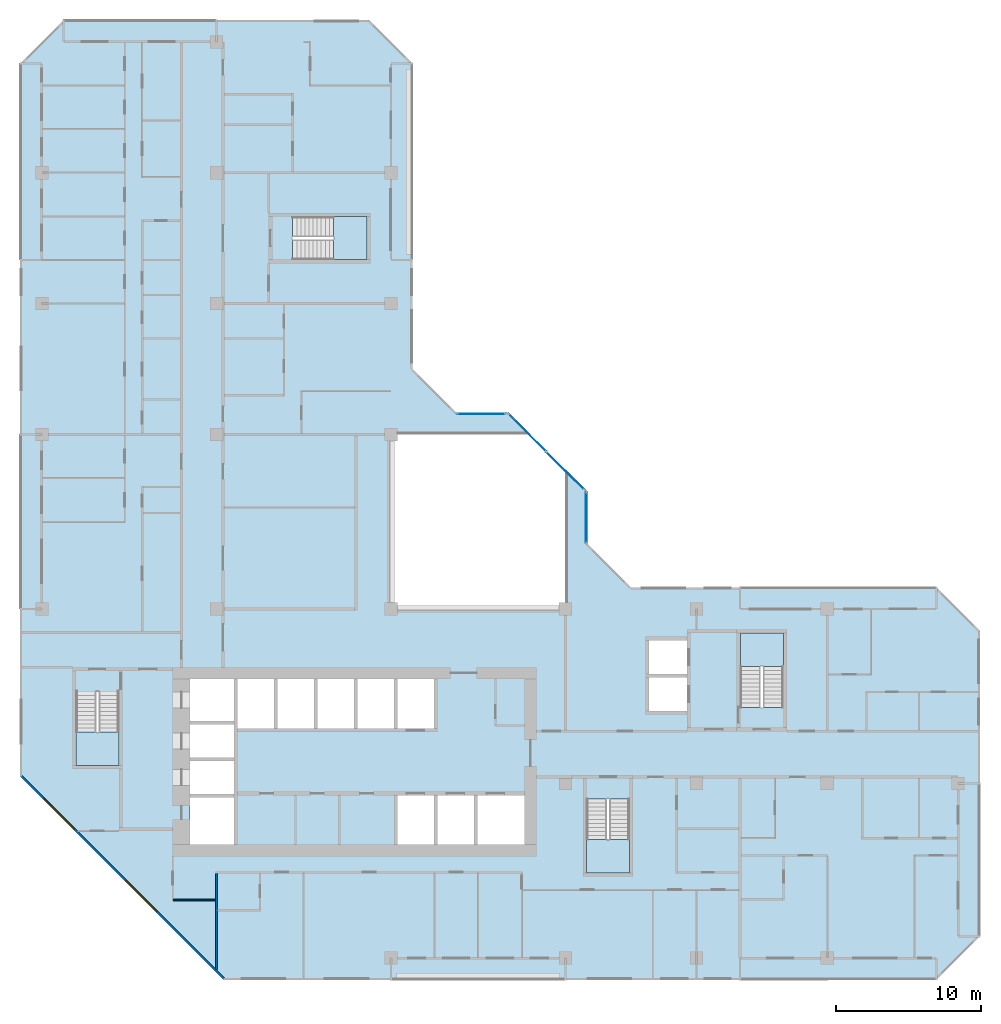
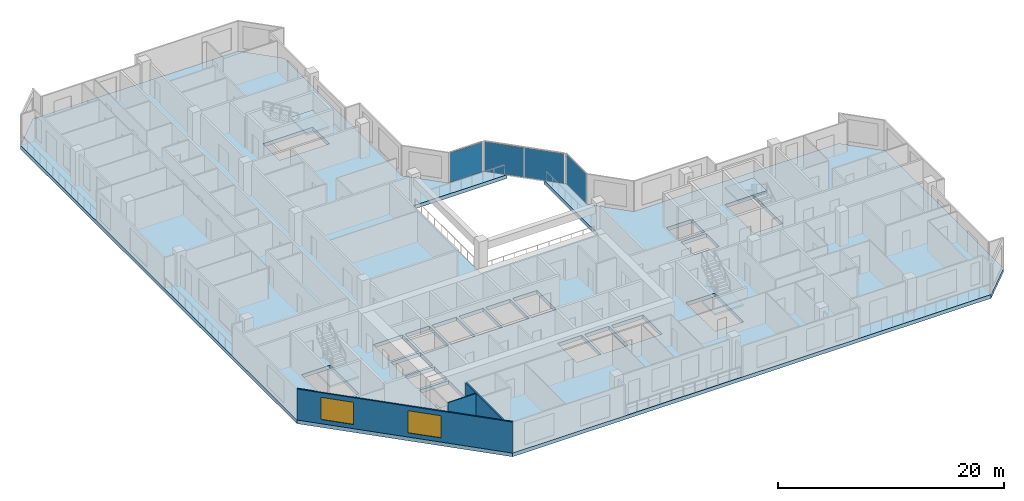
# One storey, part 3 of 15: 5 slabs, 4 plates, 3 walls, 2 windows, 2 openings, 7 elements without a shape of their own.
"""IFC4 building model written with IfcOpenShell, lengths in metres."""

from ifc_helpers import new_model, si_unit, direction, frame, frame_2d, origin, origin_2d, place, context, subcontext, project, spatial, polyline, rectangle, outline, extrude, material, layer, layer_set, type_object, element, fill, aggregate, save


model = new_model("IFC4")

# Units and contexts
model_context = context("Model", 3, precision=1e-05, world=origin(), true_north=direction((0.0, 1.0)))
body_context = subcontext(model_context, "Body", "Model", "MODEL_VIEW")
ifc_project = project(units=[si_unit("LENGTHUNIT", "METRE"), si_unit("AREAUNIT", "SQUARE_METRE"), si_unit("VOLUMEUNIT", "CUBIC_METRE"), si_unit("PLANEANGLEUNIT", "RADIAN"), si_unit("MASSUNIT", "GRAM", prefix="KILO")], contexts=[model_context])

# Site, building, storey
site_placement = place(None, origin())
site = spatial("IfcSite", under=ifc_project, at=site_placement, CompositionType="ELEMENT")
building_placement = place(site_placement, origin())
building = spatial("IfcBuilding", under=site, at=building_placement, Name="Chenar Terraces", CompositionType="ELEMENT")
storey_placement = place(building_placement, frame((0.0, 0.0, 191.14990234375)))
storey = spatial("IfcBuildingStorey", under=building, at=storey_placement, Name="L44", CompositionType="ELEMENT", Elevation=191.14990234375)

# Curtain wall, plate
ifc_material_1 = material(Name="Aluminium framed glazing", Category="aluminium")
ifc_layer_1 = layer(ifc_material_1, 0.14990234375)
ifc_layer_set_1 = layer_set([ifc_layer_1], Name="Aluminium framed glazing")
curtain_wall_type = type_object("IfcCurtainWallType", Name="Atrium mid-zone curtain wall", PredefinedType="NOTDEFINED", material=ifc_layer_set_1)
placement_1 = place(storey_placement, origin())
curtain_wall_1 = element("IfcCurtainWall", 1, at=placement_1, inside=storey, type_object=curtain_wall_type, Name="Atrium mid-zone curtain wall", PredefinedType="NOTDEFINED")
ifc_material_2 = material(Name="Low emissivity laminated glass, solar control coating", Category="glass")
ifc_layer_2 = layer(ifc_material_2, 0.031982421875)
ifc_layer_set_2 = layer_set([ifc_layer_2], Name="Low emissivity laminated glass, solar control coating")
plate_type = type_object("IfcPlateType", Name="Atrium mid-zone glazing panel 32", PredefinedType="CURTAIN_PANEL", material=ifc_layer_set_2)
plate_1_placement = place(storey_placement, frame((37.425048828125, 30.300048828125, 0.070068359375), z_axis=(0.0, 0.0, 1.0), x_axis=(0.0, 1.0, 0.0)))
plate_1 = element("IfcPlate", 2, at=plate_1_placement, type_object=plate_type, Name="CW7-1 panel 1.1", PredefinedType="CURTAIN_PANEL", context=body_context, shape_type="SweptSolid", body=[
    extrude(rectangle(XDim=3.4599609375, YDim=0.031982421875, at=origin_2d()), origin(), (0.0, 0.0, 1.0), 3.2099609375),
])
aggregate(curtain_wall_1, [plate_1])

# Curtain wall, plates
curtain_wall_2 = element("IfcCurtainWall", 3, at=placement_1, inside=storey, type_object=curtain_wall_type, Name="Atrium mid-zone curtain wall", PredefinedType="NOTDEFINED")
plate_2_placement = place(storey_placement, frame((35.978515625, 33.515380859375, 0.070068359375), z_axis=(0.0, 0.0, 1.0), x_axis=(-0.707106781187, 0.707106781187, 0.0)))
plate_2 = element("IfcPlate", 4, at=plate_2_placement, type_object=plate_type, Name="CW7-2 panel 1.1", PredefinedType="CURTAIN_PANEL", context=body_context, shape_type="SweptSolid", body=[
    extrude(rectangle(XDim=3.61328125, YDim=0.031982421875, at=origin_2d()), origin(), (0.0, 0.0, 1.0), 3.2099609375),
])
plate_3_placement = place(storey_placement, frame((33.3740234375, 36.119873046875, 0.070068359375), z_axis=(0.0, 0.0, 1.0), x_axis=(-0.707106781187, 0.707106781187, 0.0)))
plate_3 = element("IfcPlate", 5, at=plate_3_placement, type_object=plate_type, Name="CW7-2 panel 2.1", PredefinedType="CURTAIN_PANEL", context=body_context, shape_type="SweptSolid", body=[
    extrude(rectangle(XDim=3.61328125, YDim=0.031982421875, at=origin_2d()), origin(), (0.0, 0.0, 1.0), 3.2099609375),
])
aggregate(curtain_wall_2, [plate_2, plate_3])

# Curtain wall, plate
curtain_wall_3 = element("IfcCurtainWall", 6, at=placement_1, inside=storey, type_object=curtain_wall_type, Name="Atrium mid-zone curtain wall", PredefinedType="NOTDEFINED")
plate_4_placement = place(storey_placement, frame((30.199951171875, 37.425048828125, 0.070068359375), z_axis=(0.0, 0.0, 1.0), x_axis=(-1.0, 0.0, 0.0)))
plate_4 = element("IfcPlate", 7, at=plate_4_placement, type_object=plate_type, Name="CW7-3 panel 1.1", PredefinedType="CURTAIN_PANEL", context=body_context, shape_type="SweptSolid", body=[
    extrude(rectangle(XDim=3.260009765625, YDim=0.031982421875, at=origin_2d()), origin(), (0.0, 0.0, 1.0), 3.2099609375),
])
aggregate(curtain_wall_3, [plate_4])

# Stair, slab
ifc_material_3 = material(Name="Reinforced concrete C40/50", Category="concrete")
stair_type = type_object("IfcStairType", Name="Core stair 1400 half-turn", PredefinedType="HALF_TURN_STAIR", material=ifc_material_3)
stair_1 = element("IfcStair", 8, at=placement_1, inside=storey, type_object=stair_type, Name="L44 Stair 1", PredefinedType="HALF_TURN_STAIR")
ifc_material_4 = material(Name="Reinforced concrete C40/50", Category="concrete")
ifc_layer_3 = layer(ifc_material_4, 0.199951171875)
ifc_layer_set_3 = layer_set([ifc_layer_3], Name="Reinforced concrete C40/50")
slab_type_1 = type_object("IfcSlabType", Name="Core stair landing 200", PredefinedType="LANDING", material=ifc_layer_set_3)
placement_2 = place(storey_placement, frame((0.0, 0.0, 1.675048828125)))
slab_1 = element("IfcSlab", 9, at=placement_2, type_object=slab_type_1, Name="ST1 landing 1", PredefinedType="LANDING", context=body_context, shape_type="SweptSolid", body=[
    extrude(outline(polyline([(2.35009765625, 15.550048828125), (2.35009765625, 13.25), (5.300048828125, 13.25), (5.300048828125, 15.550048828125), (2.35009765625, 15.550048828125)])), origin(), (0.0, 0.0, 1.0), 0.199951171875),
])
aggregate(stair_1, [slab_1])

stair_2 = element("IfcStair", 10, at=placement_1, inside=storey, type_object=stair_type, Name="L44 Stair 2", PredefinedType="HALF_TURN_STAIR")
slab_2 = element("IfcSlab", 11, at=placement_2, type_object=slab_type_1, Name="ST2 landing 1", PredefinedType="LANDING", context=body_context, shape_type="SweptSolid", body=[
    extrude(outline(polyline([(37.449951171875, 8.14990234375), (37.449951171875, 5.85009765625), (40.39990234375, 5.85009765625), (40.39990234375, 8.14990234375), (37.449951171875, 8.14990234375)])), origin(), (0.0, 0.0, 1.0), 0.199951171875),
])
aggregate(stair_2, [slab_2])

stair_3 = element("IfcStair", 12, at=placement_1, inside=storey, type_object=stair_type, Name="L44 Stair 3", PredefinedType="HALF_TURN_STAIR")
slab_3 = element("IfcSlab", 13, at=placement_2, type_object=slab_type_1, Name="ST3 landing 1", PredefinedType="LANDING", context=body_context, shape_type="SweptSolid", body=[
    extrude(outline(polyline([(50.97509765625, 20.050048828125), (50.97509765625, 22.35009765625), (48.02490234375, 22.35009765625), (48.02490234375, 20.050048828125), (50.97509765625, 20.050048828125)])), origin(), (0.0, 0.0, 1.0), 0.199951171875),
])
aggregate(stair_3, [slab_3])

stair_4 = element("IfcStair", 14, at=placement_1, inside=storey, type_object=stair_type, Name="L44 Stair 4", PredefinedType="HALF_TURN_STAIR")
slab_4 = element("IfcSlab", 15, at=placement_2, type_object=slab_type_1, Name="ST4 landing 1", PredefinedType="LANDING", context=body_context, shape_type="SweptSolid", body=[
    extrude(outline(polyline([(20.050048828125, 48.02490234375), (22.35009765625, 48.02490234375), (22.35009765625, 50.97509765625), (20.050048828125, 50.97509765625), (20.050048828125, 48.02490234375)])), origin(), (0.0, 0.0, 1.0), 0.199951171875),
])
aggregate(stair_4, [slab_4])

# Slab
ifc_material_5 = material(Name="Concrete C40/50", Category="concrete")
ifc_layer_4 = layer(ifc_material_5, 0.39990234375)
ifc_layer_set_4 = layer_set([ifc_layer_4], Name="Concrete C40/50")
slab_type_2 = type_object("IfcSlabType", Name="Floor slab 400 Concrete C40/50", PredefinedType="FLOOR", material=ifc_layer_set_4)
slab_5_placement = place(storey_placement, frame((0.0, 0.0, -0.39990234375)))
element("IfcSlab", 16, at=slab_5_placement, inside=storey, type_object=slab_type_2, Name="Floor slab L44", PredefinedType="FLOOR", context=body_context, shape_type="SweptSolid", body=[
    extrude(outline(polyline([(64.5, 22.5), (64.5, 1.5), (61.5, -1.5), (12.5, -1.5), (-1.5, 12.5), (-1.5, 61.5), (1.5, 64.5), (22.5, 64.5), (25.5, 61.5), (25.5, 40.5), (28.5, 37.5), (32.10009765625, 37.5), (33.60009765625, 36.0), (24.0, 36.0), (24.0, 24.0), (36.0, 24.0), (36.0, 33.60009765625), (37.5, 32.10009765625), (37.5, 28.5), (40.5, 25.5), (61.5, 25.5), (64.5, 22.5)]), holes=[polyline([(13.199951171875, 11.050048828125), (10.199951171875, 11.050048828125), (10.199951171875, 7.800048828125), (13.199951171875, 7.800048828125), (13.199951171875, 11.050048828125)]), polyline([(13.199951171875, 13.550048828125), (10.199951171875, 13.550048828125), (10.199951171875, 11.300048828125), (13.199951171875, 11.300048828125), (13.199951171875, 13.550048828125)]), polyline([(13.199951171875, 16.050048828125), (10.199951171875, 16.050048828125), (10.199951171875, 13.800048828125), (13.199951171875, 13.800048828125), (13.199951171875, 16.050048828125)]), polyline([(2.35009765625, 13.25), (5.300048828125, 13.25), (5.300048828125, 18.35009765625), (2.35009765625, 18.35009765625), (2.35009765625, 13.25)]), polyline([(15.949951171875, 19.199951171875), (13.449951171875, 19.199951171875), (13.449951171875, 15.800048828125), (15.949951171875, 15.800048828125), (15.949951171875, 19.199951171875)]), polyline([(18.699951171875, 19.199951171875), (16.199951171875, 19.199951171875), (16.199951171875, 15.800048828125), (18.699951171875, 15.800048828125), (18.699951171875, 19.199951171875)]), polyline([(21.449951171875, 19.199951171875), (18.949951171875, 19.199951171875), (18.949951171875, 15.800048828125), (21.449951171875, 15.800048828125), (21.449951171875, 19.199951171875)]), polyline([(24.199951171875, 15.800048828125), (24.199951171875, 19.199951171875), (21.699951171875, 19.199951171875), (21.699951171875, 15.800048828125), (24.199951171875, 15.800048828125)]), polyline([(13.199951171875, 16.300048828125), (13.199951171875, 19.199951171875), (10.199951171875, 19.199951171875), (10.199951171875, 16.300048828125), (13.199951171875, 16.300048828125)]), polyline([(22.35009765625, 48.02490234375), (22.35009765625, 50.97509765625), (17.25, 50.97509765625), (17.25, 48.02490234375), (22.35009765625, 48.02490234375)]), polyline([(37.449951171875, 5.85009765625), (40.39990234375, 5.85009765625), (40.39990234375, 10.949951171875), (37.449951171875, 10.949951171875), (37.449951171875, 5.85009765625)]), polyline([(26.949951171875, 11.199951171875), (24.449951171875, 11.199951171875), (24.449951171875, 7.800048828125), (26.949951171875, 7.800048828125), (26.949951171875, 11.199951171875)]), polyline([(29.699951171875, 7.800048828125), (29.699951171875, 11.199951171875), (27.199951171875, 11.199951171875), (27.199951171875, 7.800048828125), (29.699951171875, 7.800048828125)]), polyline([(33.199951171875, 7.800048828125), (33.199951171875, 11.199951171875), (29.949951171875, 11.199951171875), (29.949951171875, 7.800048828125), (33.199951171875, 7.800048828125)]), polyline([(26.949951171875, 19.199951171875), (24.449951171875, 19.199951171875), (24.449951171875, 15.800048828125), (26.949951171875, 15.800048828125), (26.949951171875, 19.199951171875)]), polyline([(44.35009765625, 19.300048828125), (41.75, 19.300048828125), (41.75, 17.0), (44.35009765625, 17.0), (44.35009765625, 19.300048828125)]), polyline([(50.97509765625, 22.35009765625), (48.02490234375, 22.35009765625), (48.02490234375, 17.25), (50.97509765625, 17.25), (50.97509765625, 22.35009765625)]), polyline([(44.35009765625, 19.550048828125), (44.35009765625, 21.85009765625), (41.75, 21.85009765625), (41.75, 19.550048828125), (44.35009765625, 19.550048828125)])]), origin(), (0.0, 0.0, 1.0), 0.39990234375),
])

# Wall
ifc_material_6 = material(Name="Gypsum board on steel studs", Category="steel")
ifc_layer_5 = layer(ifc_material_6, 0.10009765625)
ifc_layer_set_5 = layer_set([ifc_layer_5], Name="Gypsum board on steel studs")
wall_type_1 = type_object("IfcWallType", Name="Gypsum partition 100", PredefinedType="PARTITIONING", material=ifc_layer_set_5)
wall_1_placement = place(storey_placement, frame((9.050048828125, 4.0, 0.0), z_axis=(0.0, 0.0, 1.0), x_axis=(1.0, 0.0, 0.0)))
element("IfcWall", 17, at=wall_1_placement, inside=storey, type_object=wall_type_1, Name="Partition L44-028", PredefinedType="PARTITIONING", context=body_context, shape_type="SweptSolid", body=[
    extrude(rectangle(XDim=2.875, YDim=0.10009765625, at=frame_2d((1.4375, 0.0))), origin(), (0.0, 0.0, 1.0), 3.35009765625),
])

# Wall, openings, windows
ifc_material_7 = material(Name="Terracotta cladding on insulated backing", Category="masonry")
ifc_layer_6 = layer(ifc_material_7, 0.14990234375)
ifc_layer_set_6 = layer_set([ifc_layer_6], Name="Terracotta cladding on insulated backing")
wall_type_2 = type_object("IfcWallType", Name="Terracotta rainscreen wall 150", PredefinedType="SOLIDWALL", material=ifc_layer_set_6)
wall_2_placement = place(storey_placement, frame((-1.447021484375, 12.552978515625, 0.0), z_axis=(0.0, 0.0, 1.0), x_axis=(0.707106781187, -0.707106781187, 0.0)))
wall_2 = element("IfcWall", 18, at=wall_2_placement, inside=storey, type_object=wall_type_2, Name="Terracotta rainscreen wall", PredefinedType="SOLIDWALL", context=body_context, shape_type="SweptSolid", body=[
    extrude(rectangle(XDim=19.799072265625, YDim=0.14990234375, at=frame_2d((9.8994140625, 0.0))), origin(), (0.0, 0.0, 1.0), 3.35009765625),
])
opening_1_placement = place(wall_2_placement, frame((2.21240234375, 0.0, 0.449951171875)))
opening_1 = element("IfcOpeningElement", 19, at=opening_1_placement, cuts=wall_2, Name="Opening W300x240", PredefinedType="OPENING", context=body_context, shape_type="SweptSolid", body=[
    extrude(rectangle(XDim=3.0, YDim=2.39990234375, at=frame_2d((1.5, 1.199951171875))), frame((0.0, 0.0849609375, 0.0), z_axis=(0.0, -1.0, 0.0), x_axis=(1.0, 0.0, 0.0)), (0.0, 0.0, 1.0), 0.169921875),
])
opening_2_placement = place(wall_2_placement, frame((10.215576171875, 0.0, 0.449951171875)))
opening_2 = element("IfcOpeningElement", 20, at=opening_2_placement, cuts=wall_2, Name="Opening W300x240", PredefinedType="OPENING", context=body_context, shape_type="SweptSolid", body=[
    extrude(rectangle(XDim=3.0, YDim=2.39990234375, at=frame_2d((1.5, 1.199951171875))), frame((0.0, 0.0849609375, 0.0), z_axis=(0.0, -1.0, 0.0), x_axis=(1.0, 0.0, 0.0)), (0.0, 0.0, 1.0), 0.169921875),
])
ifc_material_8 = material(Name="Low emissivity double glazing, aluminium frame", Category="aluminium")
window_type = type_object("IfcWindowType", Name="Fixed light 3000 x 2400", PartitioningType="SINGLE_PANEL", PredefinedType="WINDOW", material=ifc_material_8)
window_1_placement = place(opening_1_placement, origin())
window_1 = element("IfcWindow", 21, at=window_1_placement, inside=storey, type_object=window_type, Name="Window", OverallHeight=2.39990234375, OverallWidth=3.0, PartitioningType="SINGLE_PANEL", PredefinedType="WINDOW", context=body_context, shape_type="SweptSolid", body=[
    extrude(rectangle(XDim=3.0, YDim=2.39990234375, at=frame_2d((1.5, 1.199951171875))), frame((0.0, 0.030029296875, 0.0), z_axis=(0.0, -1.0, 0.0), x_axis=(1.0, 0.0, 0.0)), (0.0, 0.0, 1.0), 0.06005859375),
])
fill(opening_1, window_1)
window_2_placement = place(opening_2_placement, origin())
window_2 = element("IfcWindow", 22, at=window_2_placement, inside=storey, type_object=window_type, Name="Window", OverallHeight=2.39990234375, OverallWidth=3.0, PartitioningType="SINGLE_PANEL", PredefinedType="WINDOW", context=body_context, shape_type="SweptSolid", body=[
    extrude(rectangle(XDim=3.0, YDim=2.39990234375, at=frame_2d((1.5, 1.199951171875))), frame((0.0, 0.030029296875, 0.0), z_axis=(0.0, -1.0, 0.0), x_axis=(1.0, 0.0, 0.0)), (0.0, 0.0, 1.0), 0.06005859375),
])
fill(opening_2, window_2)

# Wall
ifc_material_9 = material(Name="Moisture-resistant gypsum board on steel studs", Category="steel")
ifc_layer_7 = layer(ifc_material_9, 0.14990234375)
ifc_layer_set_7 = layer_set([ifc_layer_7], Name="Moisture-resistant gypsum board on steel studs")
wall_type_3 = type_object("IfcWallType", Name="Wet-room partition 150", PredefinedType="PARTITIONING", material=ifc_layer_set_7)
wall_3_placement = place(storey_placement, frame((12.0, -0.787841796875, 0.0), z_axis=(0.0, 0.0, 1.0), x_axis=(0.0, 1.0, 0.0)))
element("IfcWall", 23, at=wall_3_placement, inside=storey, type_object=wall_type_3, Name="Partition L44-031", PredefinedType="PARTITIONING", context=body_context, shape_type="SweptSolid", body=[
    extrude(rectangle(XDim=6.61279296875, YDim=0.14990234375, at=frame_2d((3.306396484375, 0.0))), origin(), (0.0, 0.0, 1.0), 3.35009765625),
])

save(model, "model.ifc")
